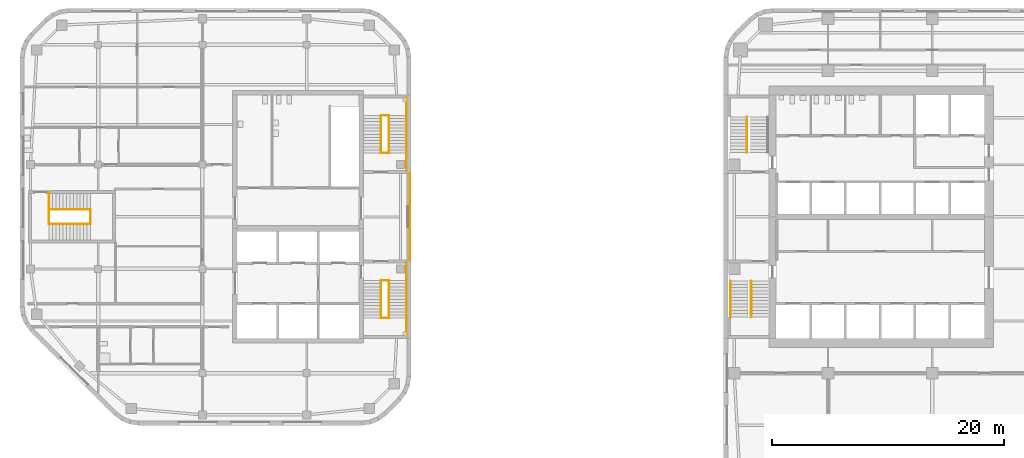
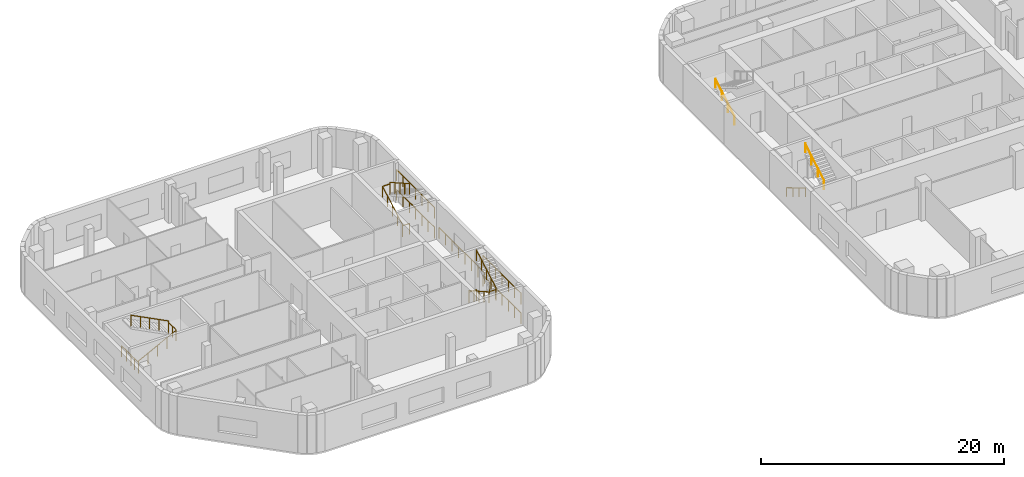
# One storey, part 12 of 14: 21 railings, 2 elements without a shape of their own.
"""IFC4 building model written with IfcOpenShell, lengths in metres."""

from ifc_helpers import new_model, si_unit, direction, frame, origin, origin_2d, place, context, subcontext, project, spatial, circle, extrude, material, type_object, element, aggregate, save


model = new_model("IFC4")

# Units and contexts
model_context = context("Model", 3, precision=1e-05, world=origin(), true_north=direction((0.0, 1.0)))
body_context = subcontext(model_context, "Body", "Model", "MODEL_VIEW")
ifc_project = project(units=[si_unit("LENGTHUNIT", "METRE"), si_unit("AREAUNIT", "SQUARE_METRE"), si_unit("VOLUMEUNIT", "CUBIC_METRE"), si_unit("PLANEANGLEUNIT", "RADIAN"), si_unit("MASSUNIT", "GRAM", prefix="KILO")], contexts=[model_context])

# Site, building, storey
site_placement = place(None, origin())
site = spatial("IfcSite", under=ifc_project, at=site_placement, CompositionType="ELEMENT")
building_placement = place(site_placement, origin())
building = spatial("IfcBuilding", under=site, at=building_placement, Name="Cinnabar Reach Civic Tower", CompositionType="ELEMENT")
storey_placement = place(building_placement, frame((0.0, 0.0, 116.0)))
storey = spatial("IfcBuildingStorey", under=building, at=storey_placement, Name="L27", CompositionType="ELEMENT", Elevation=116.0)

# Stair, railings
ifc_material_1 = material(Name="Concrete C40/50", Category="concrete")
stair_type = type_object("IfcStairType", Name="T1 Exit stair, half-turn", PredefinedType="HALF_TURN_STAIR", material=ifc_material_1)
stair_1_placement = place(storey_placement, origin())
stair_1 = element("IfcStair", 1, at=stair_1_placement, inside=storey, type_object=stair_type, Name="Stair T1-S1", PredefinedType="HALF_TURN_STAIR")
ifc_material_2 = material(Name="Stainless steel tube", Category="steel")
railing_type_1 = type_object("IfcRailingType", Name="T1 Stair handrail, stainless tube 48", PredefinedType="HANDRAIL", material=ifc_material_2)
railing_1_placement = place(storey_placement, frame((0.6, 25.95, 0.1667)))
railing_1 = element("IfcRailing", 2, at=railing_1_placement, type_object=railing_type_1, Name="T1-S1 handrail 1", PredefinedType="HANDRAIL", context=body_context, shape_type="SweptSolid", body=[
    extrude(circle(Radius=0.024, at=origin_2d()), frame((0.0, 0.0, 0.876), z_axis=(0.0, -0.859296971757, 0.511476992962), x_axis=(1.0, 0.0, 0.0)), (0.0, 0.0, 1.0), 3.5843),
    extrude(circle(Radius=0.021, at=origin_2d()), origin(), (0.0, 0.0, 1.0), 0.852),
    extrude(circle(Radius=0.021, at=origin_2d()), frame((0.0, -1.0267, 0.6111)), (0.0, 0.0, 1.0), 0.852),
    extrude(circle(Radius=0.021, at=origin_2d()), frame((0.0, -2.0533, 1.2222)), (0.0, 0.0, 1.0), 0.852),
    extrude(circle(Radius=0.021, at=origin_2d()), frame((0.0, -3.08, 1.8333)), (0.0, 0.0, 1.0), 0.852),
])
railing_2_placement = place(storey_placement, frame((2.375, 22.87, 2.1667)))
railing_2 = element("IfcRailing", 3, at=railing_2_placement, type_object=railing_type_1, Name="T1-S1 handrail 2", PredefinedType="HANDRAIL", context=body_context, shape_type="SweptSolid", body=[
    extrude(circle(Radius=0.024, at=origin_2d()), frame((0.0, 0.0, 0.876), z_axis=(0.0, 0.859296971757, 0.511476992962), x_axis=(-1.0, 0.0, 0.0)), (0.0, 0.0, 1.0), 3.5843),
    extrude(circle(Radius=0.021, at=origin_2d()), origin(), (0.0, 0.0, 1.0), 0.852),
    extrude(circle(Radius=0.021, at=origin_2d()), frame((0.0, 1.0267, 0.6111)), (0.0, 0.0, 1.0), 0.852),
    extrude(circle(Radius=0.021, at=origin_2d()), frame((0.0, 2.0533, 1.2222)), (0.0, 0.0, 1.0), 0.852),
    extrude(circle(Radius=0.021, at=origin_2d()), frame((0.0, 3.08, 1.8333)), (0.0, 0.0, 1.0), 0.852),
])
aggregate(stair_1, [railing_1, railing_2])

# Stair, railing
stair_2_placement = place(storey_placement, origin())
stair_2 = element("IfcStair", 4, at=stair_2_placement, inside=storey, type_object=stair_type, Name="Stair T1-S2", PredefinedType="HALF_TURN_STAIR")
railing_3_placement = place(storey_placement, frame((2.025, 37.05, 0.1667)))
railing_3 = element("IfcRailing", 5, at=railing_3_placement, type_object=railing_type_1, Name="T1-S2 handrail 1", PredefinedType="HANDRAIL", context=body_context, shape_type="SweptSolid", body=[
    extrude(circle(Radius=0.024, at=origin_2d()), frame((0.0, 0.0, 0.876), z_axis=(0.0, 0.859296971757, 0.511476992962), x_axis=(-1.0, 0.0, 0.0)), (0.0, 0.0, 1.0), 3.5843),
    extrude(circle(Radius=0.021, at=origin_2d()), origin(), (0.0, 0.0, 1.0), 0.852),
    extrude(circle(Radius=0.021, at=origin_2d()), frame((0.0, 1.0267, 0.6111)), (0.0, 0.0, 1.0), 0.852),
    extrude(circle(Radius=0.021, at=origin_2d()), frame((0.0, 2.0533, 1.2222)), (0.0, 0.0, 1.0), 0.852),
    extrude(circle(Radius=0.021, at=origin_2d()), frame((0.0, 3.08, 1.8333)), (0.0, 0.0, 1.0), 0.852),
])
aggregate(stair_2, [railing_3])

# Railings
ifc_material_3 = material(Name="Stainless steel", Category="steel")
railing_type_2 = type_object("IfcRailingType", Name="T2 Stair guard 1100", PredefinedType="GUARDRAIL", material=ifc_material_3)
railing_4_placement = place(storey_placement, frame((-27.1, 27.75, 0.0)))
element("IfcRailing", 6, at=railing_4_placement, inside=storey, type_object=railing_type_2, Name="Corridor end guard", PredefinedType="GUARDRAIL", context=body_context, shape_type="SweptSolid", body=[
    extrude(circle(Radius=0.024, at=origin_2d()), frame((0.0, 0.0, 1.076), z_axis=(0.0, 1.0, 0.0), x_axis=(-1.0, 0.0, 0.0)), (0.0, 0.0, 1.0), 7.5),
    extrude(circle(Radius=0.021, at=origin_2d()), origin(), (0.0, 0.0, 1.0), 1.052),
    extrude(circle(Radius=0.021, at=origin_2d()), frame((0.0, 1.0714, 0.0)), (0.0, 0.0, 1.0), 1.052),
    extrude(circle(Radius=0.021, at=origin_2d()), frame((0.0, 2.1429, 0.0)), (0.0, 0.0, 1.0), 1.052),
    extrude(circle(Radius=0.021, at=origin_2d()), frame((0.0, 3.2143, 0.0)), (0.0, 0.0, 1.0), 1.052),
    extrude(circle(Radius=0.021, at=origin_2d()), frame((0.0, 4.2857, 0.0)), (0.0, 0.0, 1.0), 1.052),
    extrude(circle(Radius=0.021, at=origin_2d()), frame((0.0, 5.3571, 0.0)), (0.0, 0.0, 1.0), 1.052),
    extrude(circle(Radius=0.021, at=origin_2d()), frame((0.0, 6.4286, 0.0)), (0.0, 0.0, 1.0), 1.052),
    extrude(circle(Radius=0.021, at=origin_2d()), frame((0.0, 7.5, 0.0)), (0.0, 0.0, 1.0), 1.052),
])
for number, where, name in (
    (7, (-27.4, 21.25, 0.0), "Stair guard 1"),
    (8, (-27.4, 21.25, 2.0), "Stair guard 1"),
):
    element("IfcRailing", number, at=place(storey_placement, frame(where)), inside=storey, type_object=railing_type_2, Name=name, PredefinedType="GUARDRAIL", context=body_context, shape_type="SweptSolid", body=[
        extrude(circle(Radius=0.024, at=origin_2d()), frame((0.0, 0.0, 1.076), z_axis=(0.0, 1.0, 0.0), x_axis=(-1.0, 0.0, 0.0)), (0.0, 0.0, 1.0), 6.25),
        extrude(circle(Radius=0.021, at=origin_2d()), origin(), (0.0, 0.0, 1.0), 1.052),
        extrude(circle(Radius=0.021, at=origin_2d()), frame((0.0, 1.0417, 0.0)), (0.0, 0.0, 1.0), 1.052),
        extrude(circle(Radius=0.021, at=origin_2d()), frame((0.0, 2.0833, 0.0)), (0.0, 0.0, 1.0), 1.052),
        extrude(circle(Radius=0.021, at=origin_2d()), frame((0.0, 3.125, 0.0)), (0.0, 0.0, 1.0), 1.052),
        extrude(circle(Radius=0.021, at=origin_2d()), frame((0.0, 4.1667, 0.0)), (0.0, 0.0, 1.0), 1.052),
        extrude(circle(Radius=0.021, at=origin_2d()), frame((0.0, 5.2083, 0.0)), (0.0, 0.0, 1.0), 1.052),
        extrude(circle(Radius=0.021, at=origin_2d()), frame((0.0, 6.25, 0.0)), (0.0, 0.0, 1.0), 1.052),
    ])
for number, where, name in (
    (9, (-29.6, 26.0, 0.0), "Stair guard 1"),
    (10, (-29.6, 22.75, 2.0), "Stair guard 1"),
):
    element("IfcRailing", number, at=place(storey_placement, frame(where)), inside=storey, type_object=railing_type_2, Name=name, PredefinedType="GUARDRAIL", context=body_context, shape_type="SweptSolid", body=[
        extrude(circle(Radius=0.024, at=origin_2d()), frame((0.0, 0.0, 1.076), z_axis=(1.0, 0.0, 0.0), x_axis=(0.0, 1.0, 0.0)), (0.0, 0.0, 1.0), 0.7),
        extrude(circle(Radius=0.021, at=origin_2d()), origin(), (0.0, 0.0, 1.0), 1.052),
        extrude(circle(Radius=0.021, at=origin_2d()), frame((0.7, 0.0, 0.0)), (0.0, 0.0, 1.0), 1.052),
    ])
railing_5_placement = place(storey_placement, frame((-29.6, 26.0, 0.1538)))
element("IfcRailing", 11, at=railing_5_placement, inside=storey, type_object=railing_type_2, Name="Stair guard 1", PredefinedType="GUARDRAIL", context=body_context, shape_type="SweptSolid", body=[
    extrude(circle(Radius=0.024, at=origin_2d()), frame((0.0, 0.0, 1.076), z_axis=(0.0, -0.869501474428, 0.493930345258), x_axis=(1.0, 0.0, 0.0)), (0.0, 0.0, 1.0), 3.7378),
    extrude(circle(Radius=0.021, at=origin_2d()), origin(), (0.0, 0.0, 1.0), 1.052),
    extrude(circle(Radius=0.021, at=origin_2d()), frame((0.0, -0.8125, 0.4615)), (0.0, 0.0, 1.0), 1.052),
    extrude(circle(Radius=0.021, at=origin_2d()), frame((0.0, -1.625, 0.9231)), (0.0, 0.0, 1.0), 1.052),
    extrude(circle(Radius=0.021, at=origin_2d()), frame((0.0, -2.4375, 1.3846)), (0.0, 0.0, 1.0), 1.052),
    extrude(circle(Radius=0.021, at=origin_2d()), frame((0.0, -3.25, 1.8462)), (0.0, 0.0, 1.0), 1.052),
])
railing_6_placement = place(storey_placement, frame((-28.9, 22.75, 2.1538)))
element("IfcRailing", 12, at=railing_6_placement, inside=storey, type_object=railing_type_2, Name="Stair guard 1", PredefinedType="GUARDRAIL", context=body_context, shape_type="SweptSolid", body=[
    extrude(circle(Radius=0.024, at=origin_2d()), frame((0.0, 0.0, 1.076), z_axis=(0.0, 0.869501474428, 0.493930345258), x_axis=(-1.0, 0.0, 0.0)), (0.0, 0.0, 1.0), 3.7378),
    extrude(circle(Radius=0.021, at=origin_2d()), origin(), (0.0, 0.0, 1.0), 1.052),
    extrude(circle(Radius=0.021, at=origin_2d()), frame((0.0, 0.8125, 0.4615)), (0.0, 0.0, 1.0), 1.052),
    extrude(circle(Radius=0.021, at=origin_2d()), frame((0.0, 1.625, 0.9231)), (0.0, 0.0, 1.0), 1.052),
    extrude(circle(Radius=0.021, at=origin_2d()), frame((0.0, 2.4375, 1.3846)), (0.0, 0.0, 1.0), 1.052),
    extrude(circle(Radius=0.021, at=origin_2d()), frame((0.0, 3.25, 1.8462)), (0.0, 0.0, 1.0), 1.052),
])
for number, where, name in (
    (13, (-27.4, 35.5, 0.0), "Stair guard 2"),
    (14, (-27.4, 35.5, 2.0), "Stair guard 2"),
):
    element("IfcRailing", number, at=place(storey_placement, frame(where)), inside=storey, type_object=railing_type_2, Name=name, PredefinedType="GUARDRAIL", context=body_context, shape_type="SweptSolid", body=[
        extrude(circle(Radius=0.024, at=origin_2d()), frame((0.0, 0.0, 1.076), z_axis=(0.0, 1.0, 0.0), x_axis=(-1.0, 0.0, 0.0)), (0.0, 0.0, 1.0), 6.25),
        extrude(circle(Radius=0.021, at=origin_2d()), origin(), (0.0, 0.0, 1.0), 1.052),
        extrude(circle(Radius=0.021, at=origin_2d()), frame((0.0, 1.0417, 0.0)), (0.0, 0.0, 1.0), 1.052),
        extrude(circle(Radius=0.021, at=origin_2d()), frame((0.0, 2.0833, 0.0)), (0.0, 0.0, 1.0), 1.052),
        extrude(circle(Radius=0.021, at=origin_2d()), frame((0.0, 3.125, 0.0)), (0.0, 0.0, 1.0), 1.052),
        extrude(circle(Radius=0.021, at=origin_2d()), frame((0.0, 4.1667, 0.0)), (0.0, 0.0, 1.0), 1.052),
        extrude(circle(Radius=0.021, at=origin_2d()), frame((0.0, 5.2083, 0.0)), (0.0, 0.0, 1.0), 1.052),
        extrude(circle(Radius=0.021, at=origin_2d()), frame((0.0, 6.25, 0.0)), (0.0, 0.0, 1.0), 1.052),
    ])
for number, where, name in (
    (15, (-29.6, 37.0, 0.0), "Stair guard 2"),
    (16, (-29.6, 40.25, 2.0), "Stair guard 2"),
):
    element("IfcRailing", number, at=place(storey_placement, frame(where)), inside=storey, type_object=railing_type_2, Name=name, PredefinedType="GUARDRAIL", context=body_context, shape_type="SweptSolid", body=[
        extrude(circle(Radius=0.024, at=origin_2d()), frame((0.0, 0.0, 1.076), z_axis=(1.0, 0.0, 0.0), x_axis=(0.0, 1.0, 0.0)), (0.0, 0.0, 1.0), 0.7),
        extrude(circle(Radius=0.021, at=origin_2d()), origin(), (0.0, 0.0, 1.0), 1.052),
        extrude(circle(Radius=0.021, at=origin_2d()), frame((0.7, 0.0, 0.0)), (0.0, 0.0, 1.0), 1.052),
    ])
railing_7_placement = place(storey_placement, frame((-29.6, 37.0, 0.1538)))
element("IfcRailing", 17, at=railing_7_placement, inside=storey, type_object=railing_type_2, Name="Stair guard 2", PredefinedType="GUARDRAIL", context=body_context, shape_type="SweptSolid", body=[
    extrude(circle(Radius=0.024, at=origin_2d()), frame((0.0, 0.0, 1.076), z_axis=(0.0, 0.869501474428, 0.493930345258), x_axis=(-1.0, 0.0, 0.0)), (0.0, 0.0, 1.0), 3.7378),
    extrude(circle(Radius=0.021, at=origin_2d()), origin(), (0.0, 0.0, 1.0), 1.052),
    extrude(circle(Radius=0.021, at=origin_2d()), frame((0.0, 0.8125, 0.4615)), (0.0, 0.0, 1.0), 1.052),
    extrude(circle(Radius=0.021, at=origin_2d()), frame((0.0, 1.625, 0.9231)), (0.0, 0.0, 1.0), 1.052),
    extrude(circle(Radius=0.021, at=origin_2d()), frame((0.0, 2.4375, 1.3846)), (0.0, 0.0, 1.0), 1.052),
    extrude(circle(Radius=0.021, at=origin_2d()), frame((0.0, 3.25, 1.8462)), (0.0, 0.0, 1.0), 1.052),
])
railing_8_placement = place(storey_placement, frame((-28.9, 40.25, 2.1538)))
element("IfcRailing", 18, at=railing_8_placement, inside=storey, type_object=railing_type_2, Name="Stair guard 2", PredefinedType="GUARDRAIL", context=body_context, shape_type="SweptSolid", body=[
    extrude(circle(Radius=0.024, at=origin_2d()), frame((0.0, 0.0, 1.076), z_axis=(0.0, -0.869501474428, 0.493930345258), x_axis=(1.0, 0.0, 0.0)), (0.0, 0.0, 1.0), 3.7378),
    extrude(circle(Radius=0.021, at=origin_2d()), origin(), (0.0, 0.0, 1.0), 1.052),
    extrude(circle(Radius=0.021, at=origin_2d()), frame((0.0, -0.8125, 0.4615)), (0.0, 0.0, 1.0), 1.052),
    extrude(circle(Radius=0.021, at=origin_2d()), frame((0.0, -1.625, 0.9231)), (0.0, 0.0, 1.0), 1.052),
    extrude(circle(Radius=0.021, at=origin_2d()), frame((0.0, -2.4375, 1.3846)), (0.0, 0.0, 1.0), 1.052),
    extrude(circle(Radius=0.021, at=origin_2d()), frame((0.0, -3.25, 1.8462)), (0.0, 0.0, 1.0), 1.052),
])
railing_9_placement = place(storey_placement, frame((-58.25, 30.875, 0.0)))
element("IfcRailing", 19, at=railing_9_placement, inside=storey, type_object=railing_type_2, Name="Stair guard 3", PredefinedType="GUARDRAIL", context=body_context, shape_type="SweptSolid", body=[
    extrude(circle(Radius=0.024, at=origin_2d()), frame((0.0, 0.0, 1.076), z_axis=(0.0, 1.0, 0.0), x_axis=(-1.0, 0.0, 0.0)), (0.0, 0.0, 1.0), 1.25),
    extrude(circle(Radius=0.021, at=origin_2d()), origin(), (0.0, 0.0, 1.0), 1.052),
    extrude(circle(Radius=0.021, at=origin_2d()), frame((0.0, 0.625, 0.0)), (0.0, 0.0, 1.0), 1.052),
    extrude(circle(Radius=0.021, at=origin_2d()), frame((0.0, 1.25, 0.0)), (0.0, 0.0, 1.0), 1.052),
])
railing_10_placement = place(storey_placement, frame((-58.25, 32.125, 0.0)))
element("IfcRailing", 20, at=railing_10_placement, inside=storey, type_object=railing_type_2, Name="Stair guard 3", PredefinedType="GUARDRAIL", context=body_context, shape_type="SweptSolid", body=[
    extrude(circle(Radius=0.024, at=origin_2d()), frame((0.0, 0.0, 1.076), z_axis=(0.0, 1.0, 0.0), x_axis=(-1.0, 0.0, 0.0)), (0.0, 0.0, 1.0), 1.5),
    extrude(circle(Radius=0.021, at=origin_2d()), origin(), (0.0, 0.0, 1.0), 1.052),
    extrude(circle(Radius=0.021, at=origin_2d()), frame((0.0, 0.75, 0.0)), (0.0, 0.0, 1.0), 1.052),
    extrude(circle(Radius=0.021, at=origin_2d()), frame((0.0, 1.5, 0.0)), (0.0, 0.0, 1.0), 1.052),
])
railing_11_placement = place(storey_placement, frame((-54.65, 30.875, 2.0)))
element("IfcRailing", 21, at=railing_11_placement, inside=storey, type_object=railing_type_2, Name="Stair guard 3", PredefinedType="GUARDRAIL", context=body_context, shape_type="SweptSolid", body=[
    extrude(circle(Radius=0.024, at=origin_2d()), frame((0.0, 0.0, 1.076), z_axis=(0.0, 1.0, 0.0), x_axis=(-1.0, 0.0, 0.0)), (0.0, 0.0, 1.0), 1.25),
    extrude(circle(Radius=0.021, at=origin_2d()), origin(), (0.0, 0.0, 1.0), 1.052),
    extrude(circle(Radius=0.021, at=origin_2d()), frame((0.0, 0.625, 0.0)), (0.0, 0.0, 1.0), 1.052),
    extrude(circle(Radius=0.021, at=origin_2d()), frame((0.0, 1.25, 0.0)), (0.0, 0.0, 1.0), 1.052),
])
railing_12_placement = place(storey_placement, frame((-58.25, 30.875, 0.1538)))
element("IfcRailing", 22, at=railing_12_placement, inside=storey, type_object=railing_type_2, Name="Stair guard 3", PredefinedType="GUARDRAIL", context=body_context, shape_type="SweptSolid", body=[
    extrude(circle(Radius=0.024, at=origin_2d()), frame((0.0, 0.0, 1.076), z_axis=(0.889812830738, 0.0, 0.45632568003), x_axis=(0.0, 1.0, 0.0)), (0.0, 0.0, 1.0), 4.0458),
    extrude(circle(Radius=0.021, at=origin_2d()), origin(), (0.0, 0.0, 1.0), 1.052),
    extrude(circle(Radius=0.021, at=origin_2d()), frame((0.9, 0.0, 0.4615)), (0.0, 0.0, 1.0), 1.052),
    extrude(circle(Radius=0.021, at=origin_2d()), frame((1.8, 0.0, 0.9231)), (0.0, 0.0, 1.0), 1.052),
    extrude(circle(Radius=0.021, at=origin_2d()), frame((2.7, 0.0, 1.3846)), (0.0, 0.0, 1.0), 1.052),
    extrude(circle(Radius=0.021, at=origin_2d()), frame((3.6, 0.0, 1.8462)), (0.0, 0.0, 1.0), 1.052),
])
railing_13_placement = place(storey_placement, frame((-54.65, 32.125, 2.1538)))
element("IfcRailing", 23, at=railing_13_placement, inside=storey, type_object=railing_type_2, Name="Stair guard 3", PredefinedType="GUARDRAIL", context=body_context, shape_type="SweptSolid", body=[
    extrude(circle(Radius=0.024, at=origin_2d()), frame((0.0, 0.0, 1.076), z_axis=(-0.889812830738, 0.0, 0.45632568003), x_axis=(0.0, -1.0, 0.0)), (0.0, 0.0, 1.0), 4.0458),
    extrude(circle(Radius=0.021, at=origin_2d()), origin(), (0.0, 0.0, 1.0), 1.052),
    extrude(circle(Radius=0.021, at=origin_2d()), frame((-0.9, 0.0, 0.4615)), (0.0, 0.0, 1.0), 1.052),
    extrude(circle(Radius=0.021, at=origin_2d()), frame((-1.8, 0.0, 0.9231)), (0.0, 0.0, 1.0), 1.052),
    extrude(circle(Radius=0.021, at=origin_2d()), frame((-2.7, 0.0, 1.3846)), (0.0, 0.0, 1.0), 1.052),
    extrude(circle(Radius=0.021, at=origin_2d()), frame((-3.6, 0.0, 1.8462)), (0.0, 0.0, 1.0), 1.052),
])

save(model, "model.ifc")
